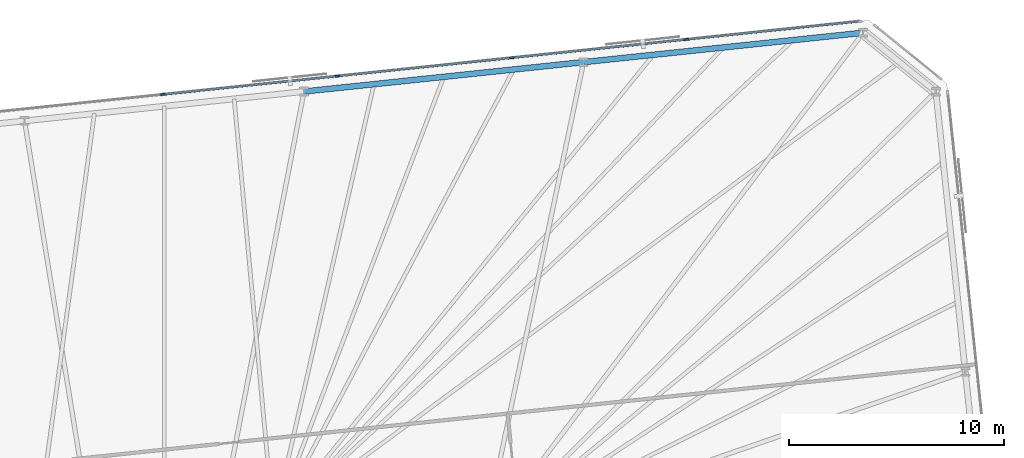
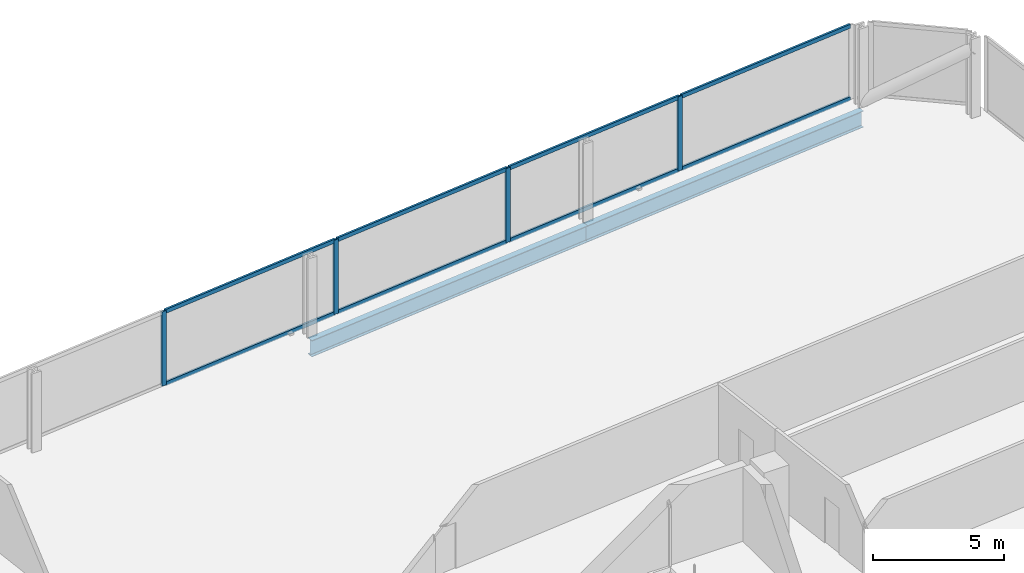
# One storey, part 11 of 18: 12 members, 2 beams, 1 element without a shape of its own.
"""IFC4 building model written with IfcOpenShell, lengths in metres."""

from ifc_helpers import new_model, si_unit, direction, frame, origin, origin_2d, place, context, subcontext, project, spatial, rectangle, i_section, extrude, material, material_profile, profile_set, type_object, element, aggregate, save


model = new_model("IFC4")

# Units and contexts
model_context = context("Model", 3, precision=1e-05, world=origin(), true_north=direction((0.0, 1.0)))
body_context = subcontext(model_context, "Body", "Model", "MODEL_VIEW")
ifc_project = project(units=[si_unit("LENGTHUNIT", "METRE"), si_unit("AREAUNIT", "SQUARE_METRE"), si_unit("VOLUMEUNIT", "CUBIC_METRE"), si_unit("PLANEANGLEUNIT", "RADIAN"), si_unit("MASSUNIT", "GRAM", prefix="KILO")], contexts=[model_context])

# Site, building, storey
site_placement = place(None, origin())
site = spatial("IfcSite", under=ifc_project, at=site_placement, CompositionType="ELEMENT")
building_placement = place(site_placement, origin())
building = spatial("IfcBuilding", under=site, at=building_placement, Name="Menara Jurai Vektor", CompositionType="ELEMENT")
storey_placement = place(building_placement, frame((0.0, 0.0, 124.39990234375)))
storey = spatial("IfcBuildingStorey", under=building, at=storey_placement, Name="L31", CompositionType="ELEMENT", Elevation=124.39990234375)

# Curtain wall, members
ifc_material_1 = material(Name="Anodised Pale Aluminium & Low-E Double Glazing", Category="aluminium")
curtain_wall_type = type_object("IfcCurtainWallType", Name="CW-BLK2", PredefinedType="NOTDEFINED", material=ifc_material_1)
curtain_wall_placement = place(storey_placement, origin())
curtain_wall = element("IfcCurtainWall", 1, at=curtain_wall_placement, inside=storey, type_object=curtain_wall_type, Name="Unitised Curtain Wall L31 F05", PredefinedType="NOTDEFINED")
ifc_material_2 = material(Name="Anodised Pale Aluminium Mullion", Category="aluminium")
ifc_material_profile_1 = material_profile(ifc_material_2, rectangle(XDim=0.090087890625, YDim=0.219970703125, at=origin_2d()), Name="ALU MUL 90x220")
ifc_profile_set_1 = profile_set([ifc_material_profile_1], Name="Anodised Pale Aluminium Mullion")
member_type_1 = type_object("IfcMemberType", Name="CW-BLK2-MUL", PredefinedType="MULLION", material=ifc_profile_set_1)
member_1_placement = place(storey_placement, frame((24.663330078125, 28.075927734375, 0.0), z_axis=(0.0, 0.0, 1.0), x_axis=(0.104528634935, -0.994521877325, 0.0)))
member_1 = element("IfcMember", 2, at=member_1_placement, type_object=member_type_1, Name="CW-02 mullion 2", PredefinedType="MULLION", context=body_context, shape_type="SweptSolid", body=[
    extrude(rectangle(XDim=0.090087890625, YDim=0.219970703125, at=origin_2d()), origin(), (0.0, 0.0, 1.0), 3.47509765625),
])
member_2_placement = place(storey_placement, frame((16.5654296875, 27.224853515625, 0.0), z_axis=(0.0, 0.0, 1.0), x_axis=(0.104528634935, -0.994521877325, 0.0)))
member_2 = element("IfcMember", 3, at=member_2_placement, type_object=member_type_1, Name="CW-02 mullion 3", PredefinedType="MULLION", context=body_context, shape_type="SweptSolid", body=[
    extrude(rectangle(XDim=0.090087890625, YDim=0.219970703125, at=origin_2d()), origin(), (0.0, 0.0, 1.0), 3.47509765625),
])
member_3_placement = place(storey_placement, frame((8.467529296875, 26.373779296875, 0.0), z_axis=(0.0, 0.0, 1.0), x_axis=(0.104528634935, -0.994521877325, 0.0)))
member_3 = element("IfcMember", 4, at=member_3_placement, type_object=member_type_1, Name="CW-02 mullion 4", PredefinedType="MULLION", context=body_context, shape_type="SweptSolid", body=[
    extrude(rectangle(XDim=0.090087890625, YDim=0.219970703125, at=origin_2d()), origin(), (0.0, 0.0, 1.0), 3.47509765625),
])
member_4_placement = place(storey_placement, frame((0.36962890625, 25.522705078125, 0.0), z_axis=(0.0, 0.0, 1.0), x_axis=(0.104528634935, -0.994521877325, 0.0)))
member_4 = element("IfcMember", 5, at=member_4_placement, type_object=member_type_1, Name="CW-02 mullion 5", PredefinedType="MULLION", context=body_context, shape_type="SweptSolid", body=[
    extrude(rectangle(XDim=0.090087890625, YDim=0.219970703125, at=origin_2d()), origin(), (0.0, 0.0, 1.0), 3.47509765625),
])
ifc_material_3 = material(Name="Anodised Pale Aluminium Transom", Category="aluminium")
ifc_material_profile_2 = material_profile(ifc_material_3, rectangle(XDim=0.090087890625, YDim=0.18505859375, at=origin_2d()), Name="ALU TRN 90x185")
ifc_profile_set_2 = profile_set([ifc_material_profile_2], Name="Anodised Pale Aluminium Transom")
member_type_2 = type_object("IfcMemberType", Name="CW-BLK2-TRN", PredefinedType="USERDEFINED", material=ifc_profile_set_2)
member_5_placement = place(storey_placement, frame((32.671875, 28.917724609375, 0.045166015625), z_axis=(-0.994519977808, -0.104546706027, 0.0), x_axis=(0.104546706027, -0.994519977808, 0.0)))
member_5 = element("IfcMember", 6, at=member_5_placement, type_object=member_type_2, Name="CW-02 transom 1.1", ObjectType="TRANSOM", PredefinedType="USERDEFINED", context=body_context, shape_type="SweptSolid", body=[
    extrude(rectangle(XDim=0.090087890625, YDim=0.18505859375, at=origin_2d()), origin(), (0.0, 0.0, 1.0), 8.007568359375),
])
member_6_placement = place(storey_placement, frame((32.671875, 28.917724609375, 3.43017578125), z_axis=(-0.994519977808, -0.104546706027, 0.0), x_axis=(0.104546706027, -0.994519977808, 0.0)))
member_6 = element("IfcMember", 7, at=member_6_placement, type_object=member_type_2, Name="CW-02 transom 1.2", ObjectType="TRANSOM", PredefinedType="USERDEFINED", context=body_context, shape_type="SweptSolid", body=[
    extrude(rectangle(XDim=0.090087890625, YDim=0.18505859375, at=origin_2d()), origin(), (0.0, 0.0, 1.0), 8.007568359375),
])
member_7_placement = place(storey_placement, frame((24.61865234375, 28.0712890625, 0.045166015625), z_axis=(-0.994520726373, -0.10453958492, 0.0), x_axis=(0.10453958492, -0.994520726373, 0.0)))
member_7 = element("IfcMember", 8, at=member_7_placement, type_object=member_type_2, Name="CW-02 transom 2.1", ObjectType="TRANSOM", PredefinedType="USERDEFINED", context=body_context, shape_type="SweptSolid", body=[
    extrude(rectangle(XDim=0.090087890625, YDim=0.18505859375, at=origin_2d()), origin(), (0.0, 0.0, 1.0), 8.052490234375),
])
member_8_placement = place(storey_placement, frame((24.61865234375, 28.0712890625, 3.43017578125), z_axis=(-0.994520726373, -0.10453958492, 0.0), x_axis=(0.10453958492, -0.994520726373, 0.0)))
member_8 = element("IfcMember", 9, at=member_8_placement, type_object=member_type_2, Name="CW-02 transom 2.2", ObjectType="TRANSOM", PredefinedType="USERDEFINED", context=body_context, shape_type="SweptSolid", body=[
    extrude(rectangle(XDim=0.090087890625, YDim=0.18505859375, at=origin_2d()), origin(), (0.0, 0.0, 1.0), 8.052490234375),
])
member_9_placement = place(storey_placement, frame((16.520751953125, 27.22021484375, 0.045166015625), z_axis=(-0.994520726373, -0.10453958492, 0.0), x_axis=(0.10453958492, -0.994520726373, 0.0)))
member_9 = element("IfcMember", 10, at=member_9_placement, type_object=member_type_2, Name="CW-02 transom 3.1", ObjectType="TRANSOM", PredefinedType="USERDEFINED", context=body_context, shape_type="SweptSolid", body=[
    extrude(rectangle(XDim=0.090087890625, YDim=0.18505859375, at=origin_2d()), origin(), (0.0, 0.0, 1.0), 8.052490234375),
])
member_10_placement = place(storey_placement, frame((16.520751953125, 27.22021484375, 3.43017578125), z_axis=(-0.994520726373, -0.10453958492, 0.0), x_axis=(0.10453958492, -0.994520726373, 0.0)))
member_10 = element("IfcMember", 11, at=member_10_placement, type_object=member_type_2, Name="CW-02 transom 3.2", ObjectType="TRANSOM", PredefinedType="USERDEFINED", context=body_context, shape_type="SweptSolid", body=[
    extrude(rectangle(XDim=0.090087890625, YDim=0.18505859375, at=origin_2d()), origin(), (0.0, 0.0, 1.0), 8.052490234375),
])
member_11_placement = place(storey_placement, frame((8.4228515625, 26.369140625, 0.045166015625), z_axis=(-0.994520726373, -0.10453958492, 0.0), x_axis=(0.10453958492, -0.994520726373, 0.0)))
member_11 = element("IfcMember", 12, at=member_11_placement, type_object=member_type_2, Name="CW-02 transom 4.1", ObjectType="TRANSOM", PredefinedType="USERDEFINED", context=body_context, shape_type="SweptSolid", body=[
    extrude(rectangle(XDim=0.090087890625, YDim=0.18505859375, at=origin_2d()), origin(), (0.0, 0.0, 1.0), 8.052490234375),
])
member_12_placement = place(storey_placement, frame((8.4228515625, 26.369140625, 3.43017578125), z_axis=(-0.994520726373, -0.10453958492, 0.0), x_axis=(0.10453958492, -0.994520726373, 0.0)))
member_12 = element("IfcMember", 13, at=member_12_placement, type_object=member_type_2, Name="CW-02 transom 4.2", ObjectType="TRANSOM", PredefinedType="USERDEFINED", context=body_context, shape_type="SweptSolid", body=[
    extrude(rectangle(XDim=0.090087890625, YDim=0.18505859375, at=origin_2d()), origin(), (0.0, 0.0, 1.0), 8.052490234375),
])
aggregate(curtain_wall, [member_1, member_2, member_3, member_4, member_5, member_6, member_7, member_8, member_9, member_10, member_11, member_12])

# Beams
ifc_material_4 = material(Name="Steel S460", Category="steel")
ifc_material_profile_3 = material_profile(ifc_material_4, i_section(OverallWidth=0.26806640625, OverallDepth=0.77001953125, WebThickness=0.01611328125, FlangeThickness=0.02490234375, FilletRadius=0.01708984375, at=origin_2d()), Name="UKB 762x267x197")
ifc_profile_set_3 = profile_set([ifc_material_profile_3], Name="Steel S460")
beam_type = type_object("IfcBeamType", Name="STR-SP-762", PredefinedType="SPANDREL", material=ifc_profile_set_3)
beam_1_placement = place(storey_placement, frame((32.876220703125, 28.38623046875, -0.60986328125), z_axis=(-0.994521431679, -0.104532874882, 0.0), x_axis=(0.104532874882, -0.994521431679, 0.0)))
element("IfcBeam", 14, at=beam_1_placement, inside=storey, type_object=beam_type, Name="Exoskeleton Spandrel Beam L31-11", PredefinedType="SPANDREL", context=body_context, shape_type="SweptSolid", body=[
    extrude(i_section(OverallWidth=0.26806640625, OverallDepth=0.77001953125, WebThickness=0.01611328125, FlangeThickness=0.02490234375, FilletRadius=0.01708984375, at=origin_2d()), origin(), (0.0, 0.0, 1.0), 13.051025390625),
])
beam_2_placement = place(storey_placement, frame((19.896728515625, 27.02197265625, -0.60986328125), z_axis=(-0.994521636083, -0.104530930169, 0.0), x_axis=(0.104530930169, -0.994521636083, 0.0)))
element("IfcBeam", 15, at=beam_2_placement, inside=storey, type_object=beam_type, Name="Exoskeleton Spandrel Beam L31-12", PredefinedType="SPANDREL", context=body_context, shape_type="SweptSolid", body=[
    extrude(i_section(OverallWidth=0.26806640625, OverallDepth=0.77001953125, WebThickness=0.01611328125, FlangeThickness=0.02490234375, FilletRadius=0.01708984375, at=origin_2d()), origin(), (0.0, 0.0, 1.0), 13.05126953125),
])

save(model, "model.ifc")
